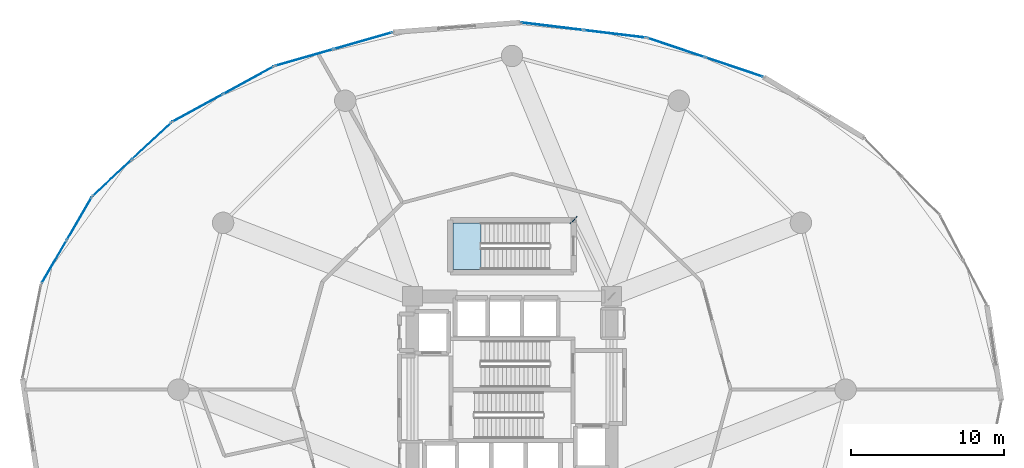
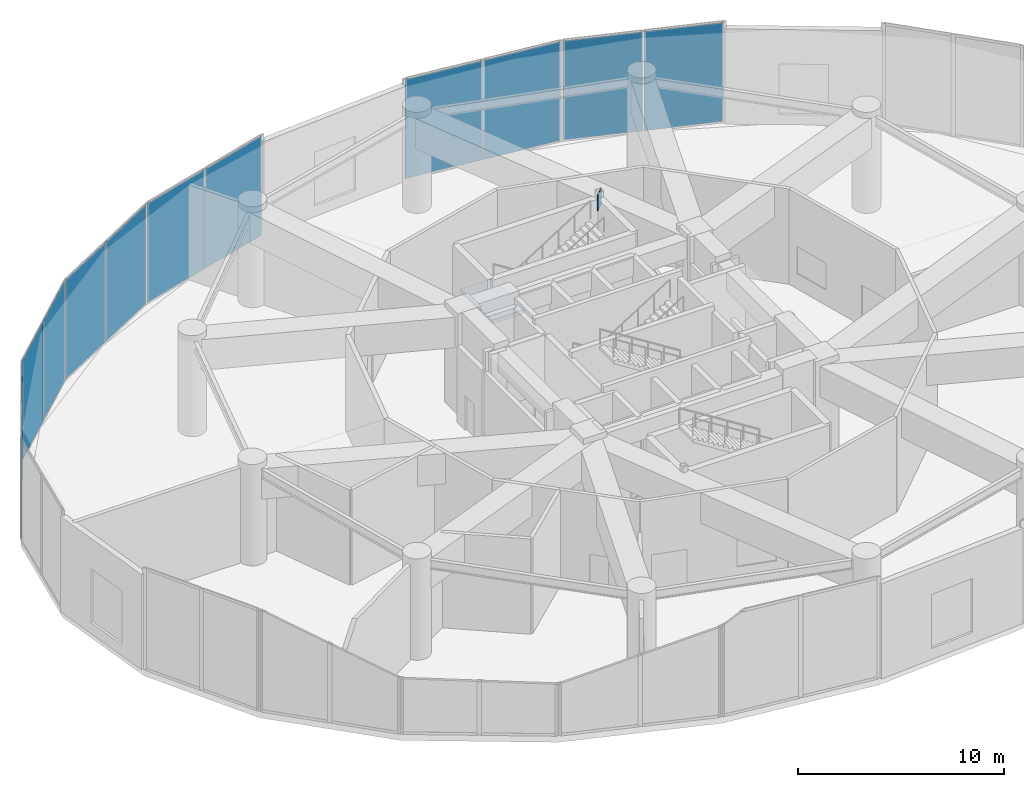
# One storey, part 22 of 28: 13 plates, 1 slab, 7 elements without a shape of their own.
"""IFC4 building model written with IfcOpenShell, lengths in metres."""

from ifc_helpers import new_model, si_unit, direction, frame, origin, origin_2d, place, context, subcontext, project, spatial, polyline, rectangle, outline, extrude, source, transform, mapped, material, layer, layer_set, type_object, element, aggregate, save


model = new_model("IFC4")

# Units and contexts
model_context = context("Model", 3, precision=1e-05, world=origin(), true_north=direction((0.0, 1.0)))
body_context = subcontext(model_context, "Body", "Model", "MODEL_VIEW")
ifc_project = project(units=[si_unit("LENGTHUNIT", "METRE"), si_unit("AREAUNIT", "SQUARE_METRE"), si_unit("VOLUMEUNIT", "CUBIC_METRE"), si_unit("PLANEANGLEUNIT", "RADIAN"), si_unit("MASSUNIT", "GRAM", prefix="KILO")], contexts=[model_context])

# Site, building, storey
site_placement = place(None, origin())
site = spatial("IfcSite", under=ifc_project, at=site_placement, CompositionType="ELEMENT")
building_placement = place(site_placement, origin())
building = spatial("IfcBuilding", under=site, at=building_placement, Name="Solvirekh Grand Hotel", CompositionType="ELEMENT")
storey_placement = place(building_placement, frame((0.0, 0.0, 12.60009765625)))
storey = spatial("IfcBuildingStorey", under=building, at=storey_placement, Name="L02", CompositionType="ELEMENT", Elevation=12.60009765625)

# Stair, slab
ifc_material_1 = material(Name="Steel S355", Category="steel")
stair_type = type_object("IfcStairType", Name="Stair_Grand_2000", PredefinedType="STRAIGHT_RUN_STAIR", material=ifc_material_1)
stair_placement = place(storey_placement, origin())
stair = element("IfcStair", 1, at=stair_placement, inside=storey, type_object=stair_type, Name="L02 Enclosed exit stair ST-4", PredefinedType="STRAIGHT_RUN_STAIR")
ifc_material_2 = material(Name="Concrete C40/50", Category="concrete")
ifc_layer_1 = layer(ifc_material_2, 0.219970703125)
ifc_layer_set_1 = layer_set([ifc_layer_1], Name="Concrete C40/50")
slab_type = type_object("IfcSlabType", Name="Landing_PodStair_220", PredefinedType="LANDING", material=ifc_layer_set_1)
slab_placement = place(storey_placement, frame((0.0, 0.0, 2.7998046875)))
slab = element("IfcSlab", 2, at=slab_placement, type_object=slab_type, Name="ST-4 landing 1", PredefinedType="LANDING", context=body_context, shape_type="SweptSolid", body=[
    extrude(outline(polyline([(-2.030029296875, 10.89990234375), (-3.85009765625, 10.89990234375), (-3.85009765625, 7.85009765625), (-2.030029296875, 7.85009765625), (-2.030029296875, 10.89990234375)])), origin(), (0.0, 0.0, 1.0), 0.2001953125),
])
aggregate(stair, [slab])

# Plate
ifc_layer_2 = layer(ifc_material_1, 0.0400390625)
ifc_layer_set_2 = layer_set([ifc_layer_2], Name="Steel S355")
plate_type_1 = type_object("IfcPlateType", Name="NodeCapPlate_40", PredefinedType="SHEET", material=ifc_layer_set_2)
plate_1_placement = place(storey_placement, frame((4.02490234375, 11.074951171875, 4.97509765625), z_axis=(0.0, 0.0, 1.0), x_axis=(-0.707106781187, 0.707106781187, 0.0)))
element("IfcPlate", 3, at=plate_1_placement, inside=storey, type_object=plate_type_1, Name="L02 hollow-section node plate NP-L02-SG4B", PredefinedType="SHEET", context=body_context, shape_type="SweptSolid", body=[
    extrude(rectangle(XDim=0.0400390625, YDim=0.64990234375, at=origin_2d()), origin(), (0.0, 0.0, 1.0), 0.949951171875),
])

# Curtain wall, plates
ifc_material_3 = material(Name="Anodized Bronze Aluminium 6063-T6", Category="aluminium")
ifc_layer_3 = layer(ifc_material_3, 0.219970703125)
ifc_layer_set_3 = layer_set([ifc_layer_3], Name="Anodized Bronze Aluminium 6063-T6")
curtain_wall_type = type_object("IfcCurtainWallType", Name="CW_Sys1_PodiumBronzeUnitised", PredefinedType="NOTDEFINED", material=ifc_layer_set_3)
curtain_wall_1_placement = place(storey_placement, origin())
curtain_wall_1 = element("IfcCurtainWall", 4, at=curtain_wall_1_placement, inside=storey, type_object=curtain_wall_type, Name="L02 unitised bronze-glass curtain wall CW-L02-C10", PredefinedType="NOTDEFINED")
ifc_material_4 = material(Name="Low-E Tinted Bronze Laminated Glass", Category="aluminium")
ifc_layer_4 = layer(ifc_material_4, 0.0439453125)
ifc_layer_set_4 = layer_set([ifc_layer_4], Name="Low-E Tinted Bronze Laminated Glass")
plate_type_2 = type_object("IfcPlateType", Name="CWPanel_Podium_44", PredefinedType="CURTAIN_PANEL", material=ifc_layer_set_4)
shared_shape_1 = source(origin(), body_context, "Body", "SweptSolid", [
    extrude(rectangle(XDim=3.443115234375, YDim=0.0439453125, at=origin_2d()), origin(), (0.0, 0.0, 1.0), 5.8701171875),
])
plate_2_placement = place(storey_placement, frame((-23.555419921875, 16.2451171875, 0.06494140625), z_axis=(0.0, 0.0, 1.0), x_axis=(-0.730540664627, -0.682869194888, 0.0)))
plate_2 = element("IfcPlate", 5, at=plate_2_placement, type_object=plate_type_2, Name="U01 panel 1.1", PredefinedType="CURTAIN_PANEL", context=body_context, shape_type="MappedRepresentation", body=[
    mapped(shared_shape_1, transform((0.0, 0.0, 0.0), x_axis=(1.0, 0.0, 0.0), y_axis=(0.0, 1.0, 0.0), z_axis=(0.0, 0.0, 1.0), scale=1.0)),
])
plate_3_placement = place(storey_placement, frame((-26.12548828125, 13.8427734375, 0.06494140625), z_axis=(0.0, 0.0, 1.0), x_axis=(-0.730540664627, -0.682869194888, 0.0)))
plate_3 = element("IfcPlate", 6, at=plate_3_placement, type_object=plate_type_2, Name="U01 panel 2.1", PredefinedType="CURTAIN_PANEL", context=body_context, shape_type="MappedRepresentation", body=[
    mapped(shared_shape_1, transform((0.0, 0.0, 0.0), x_axis=(1.0, 0.0, 0.0), y_axis=(0.0, 1.0, 0.0), z_axis=(0.0, 0.0, 1.0), scale=1.0)),
])
aggregate(curtain_wall_1, [plate_2, plate_3])

curtain_wall_2_placement = place(storey_placement, origin())
curtain_wall_2 = element("IfcCurtainWall", 7, at=curtain_wall_2_placement, inside=storey, type_object=curtain_wall_type, Name="L02 unitised bronze-glass curtain wall CW-L02-C05", PredefinedType="NOTDEFINED")
shared_shape_2 = source(origin(), body_context, "Body", "SweptSolid", [
    extrude(rectangle(XDim=3.92822265625, YDim=0.0439453125, at=origin_2d()), origin(), (0.0, 0.0, 1.0), 5.8701171875),
])
plate_4_placement = place(storey_placement, frame((14.526611328125, 21.0703125, 0.06494140625), z_axis=(0.0, 0.0, 1.0), x_axis=(-0.948124980128, 0.317897817007, 0.0)))
plate_4 = element("IfcPlate", 8, at=plate_4_placement, type_object=plate_type_2, Name="U01 panel 1.1", PredefinedType="CURTAIN_PANEL", context=body_context, shape_type="MappedRepresentation", body=[
    mapped(shared_shape_2, transform((0.0, 0.0, 0.0), x_axis=(1.0, 0.0, 0.0), y_axis=(0.0, 1.0, 0.0), z_axis=(0.0, 0.0, 1.0), scale=1.0)),
])
plate_5_placement = place(storey_placement, frame((10.731201171875, 22.3427734375, 0.06494140625), z_axis=(0.0, 0.0, 1.0), x_axis=(-0.948124980128, 0.317897817007, 0.0)))
plate_5 = element("IfcPlate", 9, at=plate_5_placement, type_object=plate_type_2, Name="U01 panel 2.1", PredefinedType="CURTAIN_PANEL", context=body_context, shape_type="MappedRepresentation", body=[
    mapped(shared_shape_2, transform((0.0, 0.0, 0.0), x_axis=(1.0, 0.0, 0.0), y_axis=(0.0, 1.0, 0.0), z_axis=(0.0, 0.0, 1.0), scale=1.0)),
])
aggregate(curtain_wall_2, [plate_4, plate_5])

curtain_wall_3_placement = place(storey_placement, origin())
curtain_wall_3 = element("IfcCurtainWall", 10, at=curtain_wall_3_placement, inside=storey, type_object=curtain_wall_type, Name="L02 unitised bronze-glass curtain wall CW-L02-C06", PredefinedType="NOTDEFINED")
shared_shape_3 = source(origin(), body_context, "Body", "SweptSolid", [
    extrude(rectangle(XDim=4.048828125, YDim=0.0439453125, at=origin_2d()), origin(), (0.0, 0.0, 1.0), 5.8701171875),
])
plate_6_placement = place(storey_placement, frame((6.7138671875, 23.243896484375, 0.06494140625), z_axis=(0.0, 0.0, 1.0), x_axis=(-0.992711582906, 0.12051436912, 0.0)))
plate_6 = element("IfcPlate", 11, at=plate_6_placement, type_object=plate_type_2, Name="U01 panel 1.1", PredefinedType="CURTAIN_PANEL", context=body_context, shape_type="MappedRepresentation", body=[
    mapped(shared_shape_3, transform((0.0, 0.0, 0.0), x_axis=(1.0, 0.0, 0.0), y_axis=(0.0, 1.0, 0.0), z_axis=(0.0, 0.0, 1.0), scale=1.0)),
])
plate_7_placement = place(storey_placement, frame((2.6201171875, 23.740966796875, 0.06494140625), z_axis=(0.0, 0.0, 1.0), x_axis=(-0.992711582906, 0.12051436912, 0.0)))
plate_7 = element("IfcPlate", 12, at=plate_7_placement, type_object=plate_type_2, Name="U01 panel 2.1", PredefinedType="CURTAIN_PANEL", context=body_context, shape_type="MappedRepresentation", body=[
    mapped(shared_shape_3, transform((0.0, 0.0, 0.0), x_axis=(1.0, 0.0, 0.0), y_axis=(0.0, 1.0, 0.0), z_axis=(0.0, 0.0, 1.0), scale=1.0)),
])
aggregate(curtain_wall_3, [plate_6, plate_7])

curtain_wall_4_placement = place(storey_placement, origin())
curtain_wall_4 = element("IfcCurtainWall", 13, at=curtain_wall_4_placement, inside=storey, type_object=curtain_wall_type, Name="L02 unitised bronze-glass curtain wall CW-L02-C08", PredefinedType="NOTDEFINED")
shared_shape_4 = source(origin(), body_context, "Body", "SweptSolid", [
    extrude(rectangle(XDim=3.928466796875, YDim=0.0439453125, at=origin_2d()), origin(), (0.0, 0.0, 1.0), 5.8701171875),
])
plate_8_placement = place(storey_placement, frame((-9.722412109375, 22.7998046875, 0.06494140625), z_axis=(0.0, 0.0, 1.0), x_axis=(-0.961393103686, -0.275178669567, 0.0)))
plate_8 = element("IfcPlate", 14, at=plate_8_placement, type_object=plate_type_2, Name="U01 panel 1.1", PredefinedType="CURTAIN_PANEL", context=body_context, shape_type="MappedRepresentation", body=[
    mapped(shared_shape_4, transform((0.0, 0.0, 0.0), x_axis=(1.0, 0.0, 0.0), y_axis=(0.0, 1.0, 0.0), z_axis=(0.0, 0.0, 1.0), scale=1.0)),
])
plate_9_placement = place(storey_placement, frame((-13.571533203125, 21.6982421875, 0.06494140625), z_axis=(0.0, 0.0, 1.0), x_axis=(-0.961393103686, -0.275178669567, 0.0)))
plate_9 = element("IfcPlate", 15, at=plate_9_placement, type_object=plate_type_2, Name="U01 panel 2.1", PredefinedType="CURTAIN_PANEL", context=body_context, shape_type="MappedRepresentation", body=[
    mapped(shared_shape_4, transform((0.0, 0.0, 0.0), x_axis=(1.0, 0.0, 0.0), y_axis=(0.0, 1.0, 0.0), z_axis=(0.0, 0.0, 1.0), scale=1.0)),
])
aggregate(curtain_wall_4, [plate_8, plate_9])

curtain_wall_5_placement = place(storey_placement, origin())
curtain_wall_5 = element("IfcCurtainWall", 16, at=curtain_wall_5_placement, inside=storey, type_object=curtain_wall_type, Name="L02 unitised bronze-glass curtain wall CW-L02-C09", PredefinedType="NOTDEFINED")
shared_shape_5 = source(origin(), body_context, "Body", "SweptSolid", [
    extrude(rectangle(XDim=3.710693359375, YDim=0.0439453125, at=origin_2d()), origin(), (0.0, 0.0, 1.0), 5.8701171875),
])
plate_10_placement = place(storey_placement, frame((-17.226318359375, 20.211669921875, 0.06494140625), z_axis=(0.0, 0.0, 1.0), x_axis=(-0.877650561893, -0.479301044448, 0.0)))
plate_10 = element("IfcPlate", 17, at=plate_10_placement, type_object=plate_type_2, Name="U01 panel 1.1", PredefinedType="CURTAIN_PANEL", context=body_context, shape_type="MappedRepresentation", body=[
    mapped(shared_shape_5, transform((0.0, 0.0, 0.0), x_axis=(1.0, 0.0, 0.0), y_axis=(0.0, 1.0, 0.0), z_axis=(0.0, 0.0, 1.0), scale=1.0)),
])
plate_11_placement = place(storey_placement, frame((-20.548828125, 18.397216796875, 0.06494140625), z_axis=(0.0, 0.0, 1.0), x_axis=(-0.877650561893, -0.479301044448, 0.0)))
plate_11 = element("IfcPlate", 18, at=plate_11_placement, type_object=plate_type_2, Name="U01 panel 2.1", PredefinedType="CURTAIN_PANEL", context=body_context, shape_type="MappedRepresentation", body=[
    mapped(shared_shape_5, transform((0.0, 0.0, 0.0), x_axis=(1.0, 0.0, 0.0), y_axis=(0.0, 1.0, 0.0), z_axis=(0.0, 0.0, 1.0), scale=1.0)),
])
aggregate(curtain_wall_5, [plate_10, plate_11])

curtain_wall_6_placement = place(storey_placement, origin())
curtain_wall_6 = element("IfcCurtainWall", 19, at=curtain_wall_6_placement, inside=storey, type_object=curtain_wall_type, Name="L02 unitised bronze-glass curtain wall CW-L02-C11", PredefinedType="NOTDEFINED")
shared_shape_6 = source(origin(), body_context, "Body", "SweptSolid", [
    extrude(rectangle(XDim=3.193359375, YDim=0.0439453125, at=origin_2d()), origin(), (0.0, 0.0, 1.0), 5.8701171875),
])
plate_12_placement = place(storey_placement, frame((-28.278564453125, 11.171142578125, 0.06494140625), z_axis=(0.0, 0.0, 1.0), x_axis=(-0.502883306143, -0.864354314158, 0.0)))
plate_12 = element("IfcPlate", 20, at=plate_12_placement, type_object=plate_type_2, Name="U01 panel 1.1", PredefinedType="CURTAIN_PANEL", context=body_context, shape_type="MappedRepresentation", body=[
    mapped(shared_shape_6, transform((0.0, 0.0, 0.0), x_axis=(1.0, 0.0, 0.0), y_axis=(0.0, 1.0, 0.0), z_axis=(0.0, 0.0, 1.0), scale=1.0)),
])
plate_13_placement = place(storey_placement, frame((-29.92236328125, 8.345947265625, 0.06494140625), z_axis=(0.0, 0.0, 1.0), x_axis=(-0.502883306143, -0.864354314158, 0.0)))
plate_13 = element("IfcPlate", 21, at=plate_13_placement, type_object=plate_type_2, Name="U01 panel 2.1", PredefinedType="CURTAIN_PANEL", context=body_context, shape_type="MappedRepresentation", body=[
    mapped(shared_shape_6, transform((0.0, 0.0, 0.0), x_axis=(1.0, 0.0, 0.0), y_axis=(0.0, 1.0, 0.0), z_axis=(0.0, 0.0, 1.0), scale=1.0)),
])
aggregate(curtain_wall_6, [plate_12, plate_13])

save(model, "model.ifc")
